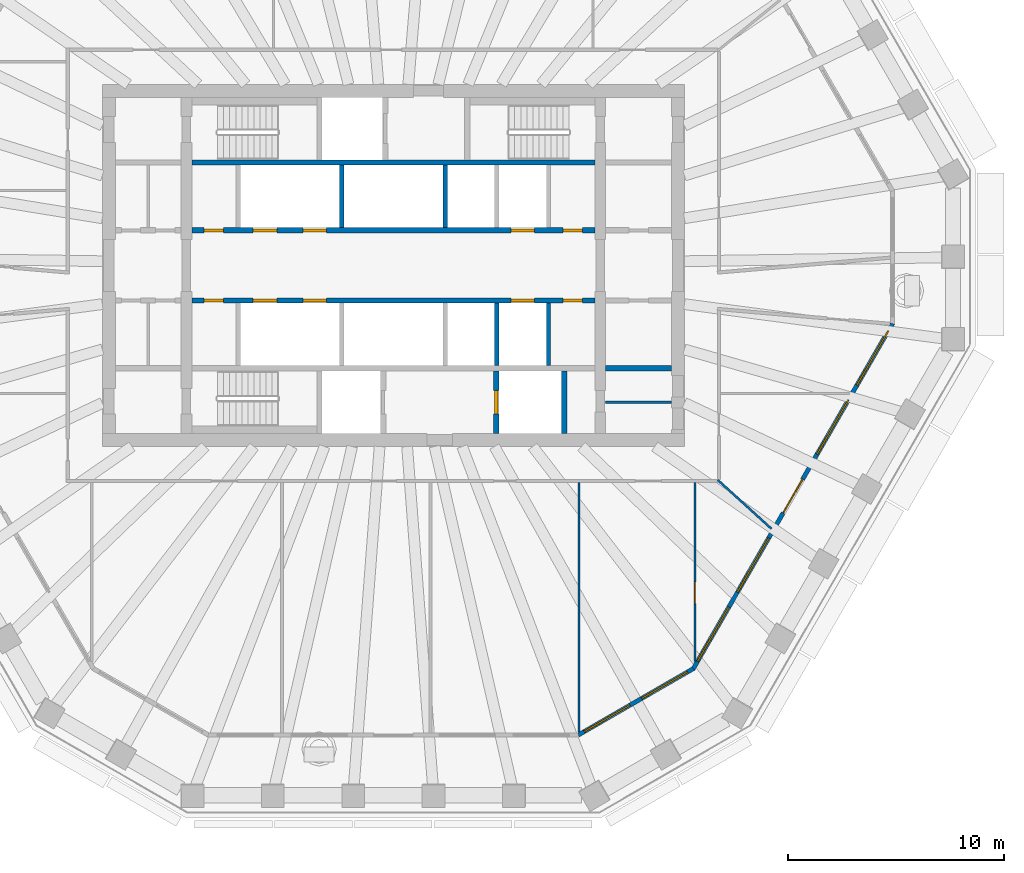
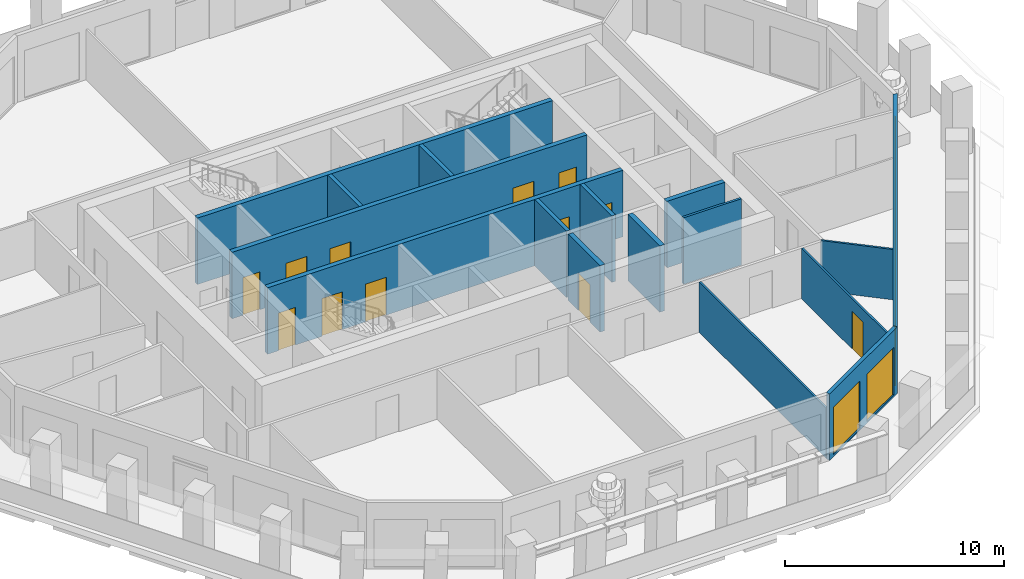
# One storey, part 5 of 12: 16 walls, 13 doors, 7 windows, 20 openings.
"""IFC4 building model written with IfcOpenShell, lengths in metres."""

from ifc_helpers import new_model, si_unit, direction, frame, frame_2d, origin, place, context, subcontext, project, spatial, polyline, rectangle, outline, extrude, material, layer, layer_set, type_object, element, fill, save


model = new_model("IFC4")

# Units and contexts
model_context = context("Model", 3, precision=1e-05, world=origin(), true_north=direction((0.0, 1.0)))
body_context = subcontext(model_context, "Body", "Model", "MODEL_VIEW")
ifc_project = project(units=[si_unit("LENGTHUNIT", "METRE"), si_unit("AREAUNIT", "SQUARE_METRE"), si_unit("VOLUMEUNIT", "CUBIC_METRE"), si_unit("PLANEANGLEUNIT", "RADIAN"), si_unit("MASSUNIT", "GRAM", prefix="KILO")], contexts=[model_context])

# Site, building, storey
site_placement = place(None, origin())
site = spatial("IfcSite", under=ifc_project, at=site_placement, CompositionType="ELEMENT")
building_placement = place(site_placement, origin())
building = spatial("IfcBuilding", under=site, at=building_placement, Name="Frailejon Research Tower", CompositionType="ELEMENT")
storey_placement = place(building_placement, frame((0.0, 0.0, 223.39990234375)))
storey = spatial("IfcBuildingStorey", under=building, at=storey_placement, Name="L48", CompositionType="ELEMENT", Elevation=223.39990234375)

# Walls
ifc_material_1 = material(Name="Plasterboard on steel studs", Category="steel")
ifc_layer_1 = layer(ifc_material_1, 0.125)
ifc_layer_set_1 = layer_set([ifc_layer_1], Name="Core partition 125")
wall_type_1 = type_object("IfcWallType", Name="Core partition 125", PredefinedType="PARTITIONING", material=ifc_layer_set_1)
wall_1_placement = place(storey_placement, frame((9.85009765625, -6.35009765625, 0.0), z_axis=(0.0, 0.0, 1.0), x_axis=(1.0, 0.0, 0.0)))
element("IfcWall", 1, at=wall_1_placement, inside=storey, type_object=wall_type_1, Name="Core partition", PredefinedType="PARTITIONING", context=body_context, shape_type="SweptSolid", body=[
    extrude(rectangle(XDim=3.0498046875, YDim=0.125, at=frame_2d((1.52490234375, 0.0))), origin(), (0.0, 0.0, 1.0), 3.7001953125),
])
ifc_material_2 = material(Name="Gypsum board and masonry partition", Category="masonry")
ifc_layer_2 = layer(ifc_material_2, 0.10009765625)
ifc_layer_set_2 = layer_set([ifc_layer_2], Name="Partition, gypsum on steel studs 100")
wall_type_2 = type_object("IfcWallType", Name="Partition, gypsum on steel studs 100", PredefinedType="PARTITIONING", material=ifc_layer_set_2)
wall_2_placement = place(storey_placement, frame((8.612060546875, -21.646240234375, 0.0), z_axis=(0.0, 0.0, 1.0), x_axis=(0.0, 1.0, 0.0)))
element("IfcWall", 2, at=wall_2_placement, inside=storey, type_object=wall_type_2, Name="T:IW:L48:021", PredefinedType="PARTITIONING", context=body_context, shape_type="SweptSolid", body=[
    extrude(rectangle(XDim=11.5712890625, YDim=0.10009765625, at=frame_2d((5.78564453125, 0.0))), origin(), (0.0, 0.0, 1.0), 2.800048828125),
])

# Wall, opening, door
wall_3_placement = place(storey_placement, frame((13.987060546875, -18.373779296875, 0.0), z_axis=(0.0, 0.0, 1.0), x_axis=(0.0, 1.0, 0.0)))
wall_3 = element("IfcWall", 3, at=wall_3_placement, inside=storey, type_object=wall_type_2, Name="T:IW:L48:022", PredefinedType="PARTITIONING", context=body_context, shape_type="SweptSolid", body=[
    extrude(rectangle(XDim=8.298828125, YDim=0.10009765625, at=frame_2d((4.1494140625, 0.0))), origin(), (0.0, 0.0, 1.0), 2.800048828125),
])
opening_1_placement = place(wall_3_placement, frame((2.685791015625, 0.0, 0.0)))
opening_1 = element("IfcOpeningElement", 4, at=opening_1_placement, cuts=wall_3, Name="Opening D1988", PredefinedType="OPENING", context=body_context, shape_type="SweptSolid", body=[
    extrude(rectangle(XDim=1.0, YDim=2.10009765625, at=frame_2d((0.5, 1.050048828125))), frame((0.0, 0.06005859375, 0.0), z_axis=(0.0, -1.0, 0.0), x_axis=(1.0, 0.0, 0.0)), (0.0, 0.0, 1.0), 0.1201171875),
])
ifc_material_3 = material(Name="Timber door leaf", Category="wood")
door_type_1 = type_object("IfcDoorType", Name="Door single leaf, timber, steel frame 1000", OperationType="NOTDEFINED", PredefinedType="DOOR", material=ifc_material_3)
door_1_placement = place(opening_1_placement, origin())
door_1 = element("IfcDoor", 5, at=door_1_placement, inside=storey, type_object=door_type_1, Name="D1988", OperationType="SINGLE_SWING_LEFT", OverallHeight=2.10009765625, OverallWidth=1.0, PredefinedType="DOOR", context=body_context, shape_type="SweptSolid", body=[
    extrude(rectangle(XDim=1.0, YDim=2.10009765625, at=frame_2d((0.5, 1.050048828125))), frame((0.0, 0.02490234375, 0.0), z_axis=(0.0, -1.0, 0.0), x_axis=(1.0, 0.0, 0.0)), (0.0, 0.0, 1.0), 0.050048828125),
])
fill(opening_1, door_1)

# Walls
wall_4_placement = place(storey_placement, frame((15.04443359375, -9.94970703125, 0.0), z_axis=(0.0, 0.0, 1.0), x_axis=(0.740306778101, -0.67226919779, 0.0)))
element("IfcWall", 6, at=wall_4_placement, inside=storey, type_object=wall_type_2, Name="T:IW:L48:023", PredefinedType="PARTITIONING", context=body_context, shape_type="SweptSolid", body=[
    extrude(rectangle(XDim=3.373046875, YDim=0.10009765625, at=frame_2d((1.6865234375, 0.0))), origin(), (0.0, 0.0, 1.0), 2.800048828125),
])
ifc_material_4 = material(Name="Concrete C60/75", Category="concrete")
ifc_layer_3 = layer(ifc_material_4, 0.199951171875)
ifc_layer_set_3 = layer_set([ifc_layer_3], Name="Shaft wall 200 C60/75")
wall_type_3 = type_object("IfcWallType", Name="Shaft wall 200 C60/75", PredefinedType="SOLIDWALL", material=ifc_layer_set_3)
for number, where, z_axis, x_axis, name in (
    (7, (-2.39990234375, 1.75, 0.0), (0.0, 0.0, 1.0), (0.0, 1.0, 0.0), "Shaft wall"),
    (8, (2.39990234375, 1.75, 0.0), (0.0, 0.0, 1.0), (0.0, 1.0, 0.0), "Shaft wall"),
    (9, (4.800048828125, -4.64990234375, 0.0), (0.0, 0.0, 1.0), (0.0, 1.0, 0.0), "Shaft wall"),
    (10, (7.199951171875, -4.64990234375, 0.0), (0.0, 0.0, 1.0), (0.0, 1.0, 0.0), "Shaft wall"),
):
    element("IfcWall", number, at=place(storey_placement, frame(where, z_axis=z_axis, x_axis=x_axis)), inside=storey, type_object=wall_type_3, Name=name, PredefinedType="SOLIDWALL", context=body_context, shape_type="SweptSolid", body=[
        extrude(rectangle(XDim=2.89990234375, YDim=0.199951171875, at=frame_2d((1.449951171875, 0.0))), origin(), (0.0, 0.0, 1.0), 3.7001953125),
    ])

# Wall, openings, doors
ifc_material_5 = material(Name="Concrete C60/75", Category="concrete")
ifc_layer_4 = layer(ifc_material_5, 0.25)
ifc_layer_set_4 = layer_set([ifc_layer_4], Name="Shaft wall 250 C60/75")
wall_type_4 = type_object("IfcWallType", Name="Shaft wall 250 C60/75", PredefinedType="SOLIDWALL", material=ifc_layer_set_4)
wall_5_placement = place(storey_placement, frame((-9.35009765625, 1.625, 0.0), z_axis=(0.0, 0.0, 1.0), x_axis=(1.0, 0.0, 0.0)))
wall_5 = element("IfcWall", 11, at=wall_5_placement, inside=storey, type_object=wall_type_4, Name="Shaft wall", PredefinedType="SOLIDWALL", context=body_context, shape_type="SweptSolid", body=[
    extrude(rectangle(XDim=18.7001953125, YDim=0.25, at=frame_2d((9.35009765625, 0.0))), origin(), (0.0, 0.0, 1.0), 3.7001953125),
])
opening_2_placement = place(wall_5_placement, frame((2.85009765625, 0.0, 0.0)))
opening_2 = element("IfcOpeningElement", 12, at=opening_2_placement, cuts=wall_5, Name="Opening LD", PredefinedType="OPENING", context=body_context, shape_type="SweptSolid", body=[
    extrude(rectangle(XDim=1.10009765625, YDim=2.10009765625, at=frame_2d((0.550048828125, 1.050048828125))), frame((0.0, 0.135009765625, 0.0), z_axis=(0.0, -1.0, 0.0), x_axis=(1.0, 0.0, 0.0)), (0.0, 0.0, 1.0), 0.27001953125),
])
opening_3_placement = place(wall_5_placement, frame((5.14990234375, 0.0, 0.0)))
opening_3 = element("IfcOpeningElement", 13, at=opening_3_placement, cuts=wall_5, Name="Opening LD", PredefinedType="OPENING", context=body_context, shape_type="SweptSolid", body=[
    extrude(rectangle(XDim=1.10009765625, YDim=2.10009765625, at=frame_2d((0.550048828125, 1.050048828125))), frame((0.0, 0.135009765625, 0.0), z_axis=(0.0, -1.0, 0.0), x_axis=(1.0, 0.0, 0.0)), (0.0, 0.0, 1.0), 0.27001953125),
])
opening_4_placement = place(wall_5_placement, frame((14.800048828125, 0.0, 0.0)))
opening_4 = element("IfcOpeningElement", 14, at=opening_4_placement, cuts=wall_5, Name="Opening LD", PredefinedType="OPENING", context=body_context, shape_type="SweptSolid", body=[
    extrude(rectangle(XDim=1.10009765625, YDim=2.10009765625, at=frame_2d((0.550048828125, 1.050048828125))), frame((0.0, 0.135009765625, 0.0), z_axis=(0.0, -1.0, 0.0), x_axis=(1.0, 0.0, 0.0)), (0.0, 0.0, 1.0), 0.27001953125),
])
opening_5_placement = place(wall_5_placement, frame((0.574951171875, 0.0, 0.0)))
opening_5 = element("IfcOpeningElement", 15, at=opening_5_placement, cuts=wall_5, Name="Opening D8", PredefinedType="OPENING", context=body_context, shape_type="SweptSolid", body=[
    extrude(rectangle(XDim=0.89990234375, YDim=2.10009765625, at=frame_2d((0.449951171875, 1.050048828125))), frame((0.0, 0.135009765625, 0.0), z_axis=(0.0, -1.0, 0.0), x_axis=(1.0, 0.0, 0.0)), (0.0, 0.0, 1.0), 0.27001953125),
])
opening_6_placement = place(wall_5_placement, frame((17.22509765625, 0.0, 0.0)))
opening_6 = element("IfcOpeningElement", 16, at=opening_6_placement, cuts=wall_5, Name="Opening D8", PredefinedType="OPENING", context=body_context, shape_type="SweptSolid", body=[
    extrude(rectangle(XDim=0.89990234375, YDim=2.10009765625, at=frame_2d((0.449951171875, 1.050048828125))), frame((0.0, 0.135009765625, 0.0), z_axis=(0.0, -1.0, 0.0), x_axis=(1.0, 0.0, 0.0)), (0.0, 0.0, 1.0), 0.27001953125),
])
ifc_material_6 = material(Name="Steel", Category="steel")
door_type_2 = type_object("IfcDoorType", Name="Core room door", OperationType="SINGLE_SWING_LEFT", PredefinedType="DOOR", material=ifc_material_6)
door_2_placement = place(opening_5_placement, origin())
door_2 = element("IfcDoor", 17, at=door_2_placement, inside=storey, type_object=door_type_2, Name="Room door", OperationType="SINGLE_SWING_LEFT", OverallHeight=2.10009765625, OverallWidth=0.89990234375, PredefinedType="DOOR", context=body_context, shape_type="SweptSolid", body=[
    extrude(rectangle(XDim=0.89990234375, YDim=2.10009765625, at=frame_2d((0.449951171875, 1.050048828125))), frame((0.0, 0.074951171875, 0.0), z_axis=(0.0, -1.0, 0.0), x_axis=(1.0, 0.0, 0.0)), (0.0, 0.0, 1.0), 0.14990234375),
])
fill(opening_5, door_2)
door_3_placement = place(opening_6_placement, origin())
door_3 = element("IfcDoor", 18, at=door_3_placement, inside=storey, type_object=door_type_2, Name="Room door", OperationType="SINGLE_SWING_RIGHT", OverallHeight=2.10009765625, OverallWidth=0.89990234375, PredefinedType="DOOR", context=body_context, shape_type="SweptSolid", body=[
    extrude(rectangle(XDim=0.89990234375, YDim=2.10009765625, at=frame_2d((0.449951171875, 1.050048828125))), frame((0.0, 0.074951171875, 0.0), z_axis=(0.0, -1.0, 0.0), x_axis=(1.0, 0.0, 0.0)), (0.0, 0.0, 1.0), 0.14990234375),
])
fill(opening_6, door_3)
ifc_material_7 = material(Name="Steel", Category="steel")
door_type_3 = type_object("IfcDoorType", Name="Lift landing door", OperationType="DOUBLE_DOOR_SLIDING", PredefinedType="DOOR", material=ifc_material_7)
door_4_placement = place(opening_2_placement, origin())
door_4 = element("IfcDoor", 19, at=door_4_placement, inside=storey, type_object=door_type_3, Name="Lift landing door", OperationType="DOUBLE_DOOR_SLIDING", OverallHeight=2.10009765625, OverallWidth=1.10009765625, PredefinedType="DOOR", context=body_context, shape_type="SweptSolid", body=[
    extrude(rectangle(XDim=1.10009765625, YDim=2.10009765625, at=frame_2d((0.550048828125, 1.050048828125))), frame((0.0, 0.074951171875, 0.0), z_axis=(0.0, -1.0, 0.0), x_axis=(1.0, 0.0, 0.0)), (0.0, 0.0, 1.0), 0.14990234375),
])
fill(opening_2, door_4)
door_5_placement = place(opening_3_placement, origin())
door_5 = element("IfcDoor", 20, at=door_5_placement, inside=storey, type_object=door_type_3, Name="Lift landing door", OperationType="DOUBLE_DOOR_SLIDING", OverallHeight=2.10009765625, OverallWidth=1.10009765625, PredefinedType="DOOR", context=body_context, shape_type="SweptSolid", body=[
    extrude(rectangle(XDim=1.10009765625, YDim=2.10009765625, at=frame_2d((0.550048828125, 1.050048828125))), frame((0.0, 0.074951171875, 0.0), z_axis=(0.0, -1.0, 0.0), x_axis=(1.0, 0.0, 0.0)), (0.0, 0.0, 1.0), 0.14990234375),
])
fill(opening_3, door_5)
door_6_placement = place(opening_4_placement, origin())
door_6 = element("IfcDoor", 21, at=door_6_placement, inside=storey, type_object=door_type_3, Name="Lift landing door", OperationType="DOUBLE_DOOR_SLIDING", OverallHeight=2.10009765625, OverallWidth=1.10009765625, PredefinedType="DOOR", context=body_context, shape_type="SweptSolid", body=[
    extrude(rectangle(XDim=1.10009765625, YDim=2.10009765625, at=frame_2d((0.550048828125, 1.050048828125))), frame((0.0, 0.074951171875, 0.0), z_axis=(0.0, -1.0, 0.0), x_axis=(1.0, 0.0, 0.0)), (0.0, 0.0, 1.0), 0.14990234375),
])
fill(opening_4, door_6)

# Wall
wall_6_placement = place(storey_placement, frame((-9.35009765625, 4.77490234375, 0.0), z_axis=(0.0, 0.0, 1.0), x_axis=(1.0, 0.0, 0.0)))
element("IfcWall", 22, at=wall_6_placement, inside=storey, type_object=wall_type_4, Name="Shaft wall", PredefinedType="SOLIDWALL", context=body_context, shape_type="SweptSolid", body=[
    extrude(rectangle(XDim=18.7001953125, YDim=0.25, at=frame_2d((9.35009765625, 0.0))), origin(), (0.0, 0.0, 1.0), 3.7001953125),
])

# Wall, openings, doors
wall_7_placement = place(storey_placement, frame((-9.35009765625, -1.625, 0.0), z_axis=(0.0, 0.0, 1.0), x_axis=(1.0, 0.0, 0.0)))
wall_7 = element("IfcWall", 23, at=wall_7_placement, inside=storey, type_object=wall_type_4, Name="Shaft wall", PredefinedType="SOLIDWALL", context=body_context, shape_type="SweptSolid", body=[
    extrude(rectangle(XDim=18.7001953125, YDim=0.25, at=frame_2d((9.35009765625, 0.0))), origin(), (0.0, 0.0, 1.0), 3.7001953125),
])
opening_7_placement = place(wall_7_placement, frame((2.85009765625, 0.0, 0.0)))
opening_7 = element("IfcOpeningElement", 24, at=opening_7_placement, cuts=wall_7, Name="Opening LD", PredefinedType="OPENING", context=body_context, shape_type="SweptSolid", body=[
    extrude(rectangle(XDim=1.10009765625, YDim=2.10009765625, at=frame_2d((0.550048828125, 1.050048828125))), frame((0.0, 0.135009765625, 0.0), z_axis=(0.0, -1.0, 0.0), x_axis=(1.0, 0.0, 0.0)), (0.0, 0.0, 1.0), 0.27001953125),
])
opening_8_placement = place(wall_7_placement, frame((5.14990234375, 0.0, 0.0)))
opening_8 = element("IfcOpeningElement", 25, at=opening_8_placement, cuts=wall_7, Name="Opening LD", PredefinedType="OPENING", context=body_context, shape_type="SweptSolid", body=[
    extrude(rectangle(XDim=1.10009765625, YDim=2.10009765625, at=frame_2d((0.550048828125, 1.050048828125))), frame((0.0, 0.135009765625, 0.0), z_axis=(0.0, -1.0, 0.0), x_axis=(1.0, 0.0, 0.0)), (0.0, 0.0, 1.0), 0.27001953125),
])
opening_9_placement = place(wall_7_placement, frame((14.800048828125, 0.0, 0.0)))
opening_9 = element("IfcOpeningElement", 26, at=opening_9_placement, cuts=wall_7, Name="Opening LD", PredefinedType="OPENING", context=body_context, shape_type="SweptSolid", body=[
    extrude(rectangle(XDim=1.10009765625, YDim=2.10009765625, at=frame_2d((0.550048828125, 1.050048828125))), frame((0.0, 0.135009765625, 0.0), z_axis=(0.0, -1.0, 0.0), x_axis=(1.0, 0.0, 0.0)), (0.0, 0.0, 1.0), 0.27001953125),
])
opening_10_placement = place(wall_7_placement, frame((0.574951171875, 0.0, 0.0)))
opening_10 = element("IfcOpeningElement", 27, at=opening_10_placement, cuts=wall_7, Name="Opening D8", PredefinedType="OPENING", context=body_context, shape_type="SweptSolid", body=[
    extrude(rectangle(XDim=0.89990234375, YDim=2.10009765625, at=frame_2d((0.449951171875, 1.050048828125))), frame((0.0, 0.135009765625, 0.0), z_axis=(0.0, -1.0, 0.0), x_axis=(1.0, 0.0, 0.0)), (0.0, 0.0, 1.0), 0.27001953125),
])
opening_11_placement = place(wall_7_placement, frame((17.22509765625, 0.0, 0.0)))
opening_11 = element("IfcOpeningElement", 28, at=opening_11_placement, cuts=wall_7, Name="Opening D8", PredefinedType="OPENING", context=body_context, shape_type="SweptSolid", body=[
    extrude(rectangle(XDim=0.89990234375, YDim=2.10009765625, at=frame_2d((0.449951171875, 1.050048828125))), frame((0.0, 0.135009765625, 0.0), z_axis=(0.0, -1.0, 0.0), x_axis=(1.0, 0.0, 0.0)), (0.0, 0.0, 1.0), 0.27001953125),
])
door_7_placement = place(opening_10_placement, origin())
door_7 = element("IfcDoor", 29, at=door_7_placement, inside=storey, type_object=door_type_2, Name="Room door", OperationType="SINGLE_SWING_RIGHT", OverallHeight=2.10009765625, OverallWidth=0.89990234375, PredefinedType="DOOR", context=body_context, shape_type="SweptSolid", body=[
    extrude(rectangle(XDim=0.89990234375, YDim=2.10009765625, at=frame_2d((0.449951171875, 1.050048828125))), frame((0.0, 0.074951171875, 0.0), z_axis=(0.0, -1.0, 0.0), x_axis=(1.0, 0.0, 0.0)), (0.0, 0.0, 1.0), 0.14990234375),
])
fill(opening_10, door_7)
door_8_placement = place(opening_11_placement, origin())
door_8 = element("IfcDoor", 30, at=door_8_placement, inside=storey, type_object=door_type_2, Name="Room door", OperationType="SINGLE_SWING_LEFT", OverallHeight=2.10009765625, OverallWidth=0.89990234375, PredefinedType="DOOR", context=body_context, shape_type="SweptSolid", body=[
    extrude(rectangle(XDim=0.89990234375, YDim=2.10009765625, at=frame_2d((0.449951171875, 1.050048828125))), frame((0.0, 0.074951171875, 0.0), z_axis=(0.0, -1.0, 0.0), x_axis=(1.0, 0.0, 0.0)), (0.0, 0.0, 1.0), 0.14990234375),
])
fill(opening_11, door_8)
door_9_placement = place(opening_7_placement, origin())
door_9 = element("IfcDoor", 31, at=door_9_placement, inside=storey, type_object=door_type_3, Name="Lift landing door", OperationType="DOUBLE_DOOR_SLIDING", OverallHeight=2.10009765625, OverallWidth=1.10009765625, PredefinedType="DOOR", context=body_context, shape_type="SweptSolid", body=[
    extrude(rectangle(XDim=1.10009765625, YDim=2.10009765625, at=frame_2d((0.550048828125, 1.050048828125))), frame((0.0, 0.074951171875, 0.0), z_axis=(0.0, -1.0, 0.0), x_axis=(1.0, 0.0, 0.0)), (0.0, 0.0, 1.0), 0.14990234375),
])
fill(opening_7, door_9)
door_10_placement = place(opening_8_placement, origin())
door_10 = element("IfcDoor", 32, at=door_10_placement, inside=storey, type_object=door_type_3, Name="Lift landing door", OperationType="DOUBLE_DOOR_SLIDING", OverallHeight=2.10009765625, OverallWidth=1.10009765625, PredefinedType="DOOR", context=body_context, shape_type="SweptSolid", body=[
    extrude(rectangle(XDim=1.10009765625, YDim=2.10009765625, at=frame_2d((0.550048828125, 1.050048828125))), frame((0.0, 0.074951171875, 0.0), z_axis=(0.0, -1.0, 0.0), x_axis=(1.0, 0.0, 0.0)), (0.0, 0.0, 1.0), 0.14990234375),
])
fill(opening_8, door_10)
door_11_placement = place(opening_9_placement, origin())
door_11 = element("IfcDoor", 33, at=door_11_placement, inside=storey, type_object=door_type_3, Name="Lift landing door", OperationType="DOUBLE_DOOR_SLIDING", OverallHeight=2.10009765625, OverallWidth=1.10009765625, PredefinedType="DOOR", context=body_context, shape_type="SweptSolid", body=[
    extrude(rectangle(XDim=1.10009765625, YDim=2.10009765625, at=frame_2d((0.550048828125, 1.050048828125))), frame((0.0, 0.074951171875, 0.0), z_axis=(0.0, -1.0, 0.0), x_axis=(1.0, 0.0, 0.0)), (0.0, 0.0, 1.0), 0.14990234375),
])
fill(opening_9, door_11)

# Wall
wall_8_placement = place(storey_placement, frame((9.85009765625, -4.77490234375, 0.0), z_axis=(0.0, 0.0, 1.0), x_axis=(1.0, 0.0, 0.0)))
element("IfcWall", 34, at=wall_8_placement, inside=storey, type_object=wall_type_4, Name="Shaft wall", PredefinedType="SOLIDWALL", context=body_context, shape_type="SweptSolid", body=[
    extrude(rectangle(XDim=3.0498046875, YDim=0.25, at=frame_2d((1.52490234375, 0.0))), origin(), (0.0, 0.0, 1.0), 3.7001953125),
])

# Wall, opening, door
wall_9_placement = place(storey_placement, frame((4.77490234375, -7.800048828125, 0.0), z_axis=(0.0, 0.0, 1.0), x_axis=(0.0, 1.0, 0.0)))
wall_9 = element("IfcWall", 35, at=wall_9_placement, inside=storey, type_object=wall_type_4, Name="Shaft wall", PredefinedType="SOLIDWALL", context=body_context, shape_type="SweptSolid", body=[
    extrude(rectangle(XDim=2.900146484375, YDim=0.25, at=frame_2d((1.4501953125, 0.0))), origin(), (0.0, 0.0, 1.0), 3.7001953125),
])
opening_12_placement = place(wall_9_placement, frame((0.89990234375, 0.0, 0.0)))
opening_12 = element("IfcOpeningElement", 36, at=opening_12_placement, cuts=wall_9, Name="Opening LD", PredefinedType="OPENING", context=body_context, shape_type="SweptSolid", body=[
    extrude(rectangle(XDim=1.10009765625, YDim=2.10009765625, at=frame_2d((0.550048828125, 1.050048828125))), frame((0.0, 0.135009765625, 0.0), z_axis=(0.0, -1.0, 0.0), x_axis=(1.0, 0.0, 0.0)), (0.0, 0.0, 1.0), 0.27001953125),
])
door_12_placement = place(opening_12_placement, origin())
door_12 = element("IfcDoor", 37, at=door_12_placement, inside=storey, type_object=door_type_3, Name="Lift landing door", OperationType="DOUBLE_DOOR_SLIDING", OverallHeight=2.10009765625, OverallWidth=1.10009765625, PredefinedType="DOOR", context=body_context, shape_type="SweptSolid", body=[
    extrude(rectangle(XDim=1.10009765625, YDim=2.10009765625, at=frame_2d((0.550048828125, 1.050048828125))), frame((0.0, 0.074951171875, 0.0), z_axis=(0.0, -1.0, 0.0), x_axis=(1.0, 0.0, 0.0)), (0.0, 0.0, 1.0), 0.14990234375),
])
fill(opening_12, door_12)

# Wall
wall_10_placement = place(storey_placement, frame((7.925048828125, -7.800048828125, 0.0), z_axis=(0.0, 0.0, 1.0), x_axis=(0.0, 1.0, 0.0)))
element("IfcWall", 38, at=wall_10_placement, inside=storey, type_object=wall_type_4, Name="Shaft wall", PredefinedType="SOLIDWALL", context=body_context, shape_type="SweptSolid", body=[
    extrude(rectangle(XDim=2.900146484375, YDim=0.25, at=frame_2d((1.4501953125, 0.0))), origin(), (0.0, 0.0, 1.0), 3.7001953125),
])

# Wall, openings, windows
ifc_material_8 = material(Name="Concrete C40/50 precast window wall panel", Category="concrete")
ifc_layer_5 = layer(ifc_material_8, 0.199951171875)
ifc_layer_set_5 = layer_set([ifc_layer_5], Name="Window wall 200")
wall_type_5 = type_object("IfcWallType", Name="Window wall 200", PredefinedType="SOLIDWALL", material=ifc_layer_set_5)
wall_11_placement = place(storey_placement, frame((8.585205078125, -21.777099609375, 0.0), z_axis=(0.0, 0.0, 1.0), x_axis=(0.866029647142, 0.499992650217, 0.0)))
wall_11 = element("IfcWall", 39, at=wall_11_placement, inside=storey, type_object=wall_type_5, Name="Exterior wall L48", PredefinedType="SOLIDWALL", context=body_context, shape_type="SweptSolid", body=[
    extrude(outline(polyline([(-0.02685546875, -0.10009765625), (1.007568359375, -0.10009765625), (2.0419921875, -0.10009765625), (3.076416015625, -0.10009765625), (4.11083984375, -0.10009765625), (5.145263671875, -0.10009765625), (6.1796875, -0.10009765625), (6.1259765625, 0.10009765625), (5.109375, 0.10009765625), (4.093017578125, 0.10009765625), (3.076416015625, 0.10009765625), (2.059814453125, 0.10009765625), (1.04345703125, 0.10009765625), (0.02685546875, 0.10009765625), (-0.02685546875, -0.10009765625)])), origin(), (0.0, 0.0, 1.0), 3.7001953125),
])
opening_13_placement = place(wall_11_placement, frame((0.313232421875, 0.0, 0.10009765625)))
opening_13 = element("IfcOpeningElement", 40, at=opening_13_placement, cuts=wall_11, Name="Opening W17", PredefinedType="OPENING", context=body_context, shape_type="SweptSolid", body=[
    extrude(rectangle(XDim=2.449951171875, YDim=2.64990234375, at=frame_2d((1.22509765625, 1.324951171875))), frame((0.0, 0.10986328125, 0.0), z_axis=(0.0, -1.0, 0.0), x_axis=(1.0, 0.0, 0.0)), (0.0, 0.0, 1.0), 0.219970703125),
])
opening_14_placement = place(wall_11_placement, frame((3.3896484375, 0.0, 0.10009765625)))
opening_14 = element("IfcOpeningElement", 41, at=opening_14_placement, cuts=wall_11, Name="Opening W17", PredefinedType="OPENING", context=body_context, shape_type="SweptSolid", body=[
    extrude(rectangle(XDim=2.449951171875, YDim=2.64990234375, at=frame_2d((1.22509765625, 1.324951171875))), frame((0.0, 0.10986328125, 0.0), z_axis=(0.0, -1.0, 0.0), x_axis=(1.0, 0.0, 0.0)), (0.0, 0.0, 1.0), 0.219970703125),
])
ifc_material_9 = material(Name="Aluminium framed double glazing", Category="aluminium")
window_type_1 = type_object("IfcWindowType", Name="Window 2450x2650", PartitioningType="SINGLE_PANEL", PredefinedType="WINDOW", material=ifc_material_9)
window_1_placement = place(opening_13_placement, origin())
window_1 = element("IfcWindow", 42, at=window_1_placement, inside=storey, type_object=window_type_1, Name="Window L48", OverallHeight=2.64990234375, OverallWidth=2.449951171875, PartitioningType="SINGLE_PANEL", PredefinedType="WINDOW", context=body_context, shape_type="SweptSolid", body=[
    extrude(rectangle(XDim=2.449951171875, YDim=2.64990234375, at=frame_2d((1.22509765625, 1.324951171875))), frame((0.0, 0.030029296875, 0.0), z_axis=(0.0, -1.0, 0.0), x_axis=(1.0, 0.0, 0.0)), (0.0, 0.0, 1.0), 0.06005859375),
])
fill(opening_13, window_1)
window_2_placement = place(opening_14_placement, origin())
window_2 = element("IfcWindow", 43, at=window_2_placement, inside=storey, type_object=window_type_1, Name="Window L48", OverallHeight=2.64990234375, OverallWidth=2.449951171875, PartitioningType="SINGLE_PANEL", PredefinedType="WINDOW", context=body_context, shape_type="SweptSolid", body=[
    extrude(rectangle(XDim=2.449951171875, YDim=2.64990234375, at=frame_2d((1.22509765625, 1.324951171875))), frame((0.0, 0.030029296875, 0.0), z_axis=(0.0, -1.0, 0.0), x_axis=(1.0, 0.0, 0.0)), (0.0, 0.0, 1.0), 0.06005859375),
])
fill(opening_14, window_2)

# Wall, openings, door, windows
wall_12_placement = place(storey_placement, frame((13.913818359375, -18.70068359375, 0.0), z_axis=(0.0, 0.0, 1.0), x_axis=(0.499993148765, 0.866029359311, 0.0)))
wall_12 = element("IfcWall", 44, at=wall_12_placement, inside=storey, type_object=wall_type_5, Name="Exterior wall L48", PredefinedType="SOLIDWALL", context=body_context, shape_type="SweptSolid", body=[
    extrude(outline(polyline([(-0.02685546875, -0.10009765625), (1.002685546875, -0.10009765625), (2.031982421875, -0.10009765625), (3.0615234375, -0.10009765625), (4.091064453125, -0.10009765625), (5.12060546875, -0.10009765625), (6.14990234375, -0.10009765625), (7.179443359375, -0.10009765625), (8.208984375, -0.10009765625), (9.23828125, -0.10009765625), (10.267822265625, -0.10009765625), (11.29736328125, -0.10009765625), (12.326904296875, -0.10009765625), (13.356201171875, -0.10009765625), (14.3857421875, -0.10009765625), (15.415283203125, -0.10009765625), (16.44482421875, -0.10009765625), (17.47412109375, -0.10009765625), (18.503662109375, -0.10009765625), (18.449951171875, 0.10009765625), (17.426513671875, 0.10009765625), (16.40283203125, 0.10009765625), (15.37939453125, 0.10009765625), (14.35595703125, 0.10009765625), (13.33251953125, 0.10009765625), (12.308837890625, 0.10009765625), (11.285400390625, 0.10009765625), (10.261962890625, 0.10009765625), (9.23828125, 0.10009765625), (8.21484375, 0.10009765625), (7.19140625, 0.10009765625), (6.16796875, 0.10009765625), (5.144287109375, 0.10009765625), (4.120849609375, 0.10009765625), (3.097412109375, 0.10009765625), (2.073974609375, 0.10009765625), (1.05029296875, 0.10009765625), (0.02685546875, 0.10009765625), (-0.02685546875, -0.10009765625)])), origin(), (0.0, 0.0, 1.0), 3.7001953125),
])
opening_15_placement = place(wall_12_placement, frame((0.397705078125, 0.0, 0.10009765625)))
opening_15 = element("IfcOpeningElement", 45, at=opening_15_placement, cuts=wall_12, Name="Opening W20", PredefinedType="OPENING", context=body_context, shape_type="SweptSolid", body=[
    extrude(rectangle(XDim=2.89990234375, YDim=2.64990234375, at=frame_2d((1.449951171875, 1.324951171875))), frame((0.0, 0.10986328125, 0.0), z_axis=(0.0, -1.0, 0.0), x_axis=(1.0, 0.0, 0.0)), (0.0, 0.0, 1.0), 0.219970703125),
])
opening_16_placement = place(wall_12_placement, frame((4.093017578125, 0.0, 0.10009765625)))
opening_16 = element("IfcOpeningElement", 46, at=opening_16_placement, cuts=wall_12, Name="Opening W20", PredefinedType="OPENING", context=body_context, shape_type="SweptSolid", body=[
    extrude(rectangle(XDim=2.89990234375, YDim=2.64990234375, at=frame_2d((1.449951171875, 1.324951171875))), frame((0.0, 0.10986328125, 0.0), z_axis=(0.0, -1.0, 0.0), x_axis=(1.0, 0.0, 0.0)), (0.0, 0.0, 1.0), 0.219970703125),
])
opening_17_placement = place(wall_12_placement, frame((8.33837890625, 0.0, 0.0)))
opening_17 = element("IfcOpeningElement", 47, at=opening_17_placement, cuts=wall_12, Name="Opening LG48-6", PredefinedType="OPENING", context=body_context, shape_type="SweptSolid", body=[
    extrude(rectangle(XDim=1.800048828125, YDim=2.39990234375, at=frame_2d((0.89990234375, 1.199951171875))), frame((0.0, 0.10986328125, 0.0), z_axis=(0.0, -1.0, 0.0), x_axis=(1.0, 0.0, 0.0)), (0.0, 0.0, 1.0), 0.219970703125),
])
opening_18_placement = place(wall_12_placement, frame((8.33837890625, 0.0, 2.550048828125)))
opening_18 = element("IfcOpeningElement", 48, at=opening_18_placement, cuts=wall_12, Name="Opening W19", PredefinedType="OPENING", context=body_context, shape_type="SweptSolid", body=[
    extrude(rectangle(XDim=1.800048828125, YDim=0.199951171875, at=frame_2d((0.89990234375, 0.10009765625))), frame((0.0, 0.10986328125, 0.0), z_axis=(0.0, -1.0, 0.0), x_axis=(1.0, 0.0, 0.0)), (0.0, 0.0, 1.0), 0.219970703125),
])
opening_19_placement = place(wall_12_placement, frame((11.483642578125, 0.0, 0.10009765625)))
opening_19 = element("IfcOpeningElement", 49, at=opening_19_placement, cuts=wall_12, Name="Opening W20", PredefinedType="OPENING", context=body_context, shape_type="SweptSolid", body=[
    extrude(rectangle(XDim=2.89990234375, YDim=2.64990234375, at=frame_2d((1.449951171875, 1.324951171875))), frame((0.0, 0.10986328125, 0.0), z_axis=(0.0, -1.0, 0.0), x_axis=(1.0, 0.0, 0.0)), (0.0, 0.0, 1.0), 0.219970703125),
])
opening_20_placement = place(wall_12_placement, frame((15.178955078125, 0.0, 0.10009765625)))
opening_20 = element("IfcOpeningElement", 50, at=opening_20_placement, cuts=wall_12, Name="Opening W20", PredefinedType="OPENING", context=body_context, shape_type="SweptSolid", body=[
    extrude(rectangle(XDim=2.89990234375, YDim=2.64990234375, at=frame_2d((1.449951171875, 1.324951171875))), frame((0.0, 0.10986328125, 0.0), z_axis=(0.0, -1.0, 0.0), x_axis=(1.0, 0.0, 0.0)), (0.0, 0.0, 1.0), 0.219970703125),
])
ifc_material_10 = material(Name="Aluminium framed glazed door leaf", Category="aluminium")
door_type_4 = type_object("IfcDoorType", Name="Loggia door 1800x2400", OperationType="DOUBLE_DOOR_SINGLE_SWING", PredefinedType="DOOR", material=ifc_material_10)
door_13_placement = place(opening_17_placement, origin())
door_13 = element("IfcDoor", 51, at=door_13_placement, inside=storey, type_object=door_type_4, Name="Door LG48-6", OperationType="DOUBLE_DOOR_SINGLE_SWING", OverallHeight=2.39990234375, OverallWidth=1.800048828125, PredefinedType="DOOR", context=body_context, shape_type="SweptSolid", body=[
    extrude(rectangle(XDim=1.800048828125, YDim=2.39990234375, at=frame_2d((0.89990234375, 1.199951171875))), frame((0.0, 0.02490234375, 0.0), z_axis=(0.0, -1.0, 0.0), x_axis=(1.0, 0.0, 0.0)), (0.0, 0.0, 1.0), 0.050048828125),
])
fill(opening_17, door_13)
ifc_material_11 = material(Name="Aluminium framed double glazing", Category="aluminium")
window_type_2 = type_object("IfcWindowType", Name="Window 1800x200", PartitioningType="SINGLE_PANEL", PredefinedType="WINDOW", material=ifc_material_11)
window_3_placement = place(opening_18_placement, origin())
window_3 = element("IfcWindow", 52, at=window_3_placement, inside=storey, type_object=window_type_2, Name="Window L48", OverallHeight=0.199951171875, OverallWidth=1.800048828125, PartitioningType="SINGLE_PANEL", PredefinedType="WINDOW", context=body_context, shape_type="SweptSolid", body=[
    extrude(rectangle(XDim=1.800048828125, YDim=0.199951171875, at=frame_2d((0.89990234375, 0.10009765625))), frame((0.0, 0.030029296875, 0.0), z_axis=(0.0, -1.0, 0.0), x_axis=(1.0, 0.0, 0.0)), (0.0, 0.0, 1.0), 0.06005859375),
])
fill(opening_18, window_3)
ifc_material_12 = material(Name="Aluminium framed double glazing", Category="aluminium")
window_type_3 = type_object("IfcWindowType", Name="Window 2900x2650", PartitioningType="SINGLE_PANEL", PredefinedType="WINDOW", material=ifc_material_12)
window_4_placement = place(opening_15_placement, origin())
window_4 = element("IfcWindow", 53, at=window_4_placement, inside=storey, type_object=window_type_3, Name="Window L48", OverallHeight=2.64990234375, OverallWidth=2.89990234375, PartitioningType="SINGLE_PANEL", PredefinedType="WINDOW", context=body_context, shape_type="SweptSolid", body=[
    extrude(rectangle(XDim=2.89990234375, YDim=2.64990234375, at=frame_2d((1.449951171875, 1.324951171875))), frame((0.0, 0.030029296875, 0.0), z_axis=(0.0, -1.0, 0.0), x_axis=(1.0, 0.0, 0.0)), (0.0, 0.0, 1.0), 0.06005859375),
])
fill(opening_15, window_4)
window_5_placement = place(opening_16_placement, origin())
window_5 = element("IfcWindow", 54, at=window_5_placement, inside=storey, type_object=window_type_3, Name="Window L48", OverallHeight=2.64990234375, OverallWidth=2.89990234375, PartitioningType="SINGLE_PANEL", PredefinedType="WINDOW", context=body_context, shape_type="SweptSolid", body=[
    extrude(rectangle(XDim=2.89990234375, YDim=2.64990234375, at=frame_2d((1.449951171875, 1.324951171875))), frame((0.0, 0.030029296875, 0.0), z_axis=(0.0, -1.0, 0.0), x_axis=(1.0, 0.0, 0.0)), (0.0, 0.0, 1.0), 0.06005859375),
])
fill(opening_16, window_5)
window_6_placement = place(opening_19_placement, origin())
window_6 = element("IfcWindow", 55, at=window_6_placement, inside=storey, type_object=window_type_3, Name="Window L48", OverallHeight=2.64990234375, OverallWidth=2.89990234375, PartitioningType="SINGLE_PANEL", PredefinedType="WINDOW", context=body_context, shape_type="SweptSolid", body=[
    extrude(rectangle(XDim=2.89990234375, YDim=2.64990234375, at=frame_2d((1.449951171875, 1.324951171875))), frame((0.0, 0.030029296875, 0.0), z_axis=(0.0, -1.0, 0.0), x_axis=(1.0, 0.0, 0.0)), (0.0, 0.0, 1.0), 0.06005859375),
])
fill(opening_19, window_6)
window_7_placement = place(opening_20_placement, origin())
window_7 = element("IfcWindow", 56, at=window_7_placement, inside=storey, type_object=window_type_3, Name="Window L48", OverallHeight=2.64990234375, OverallWidth=2.89990234375, PartitioningType="SINGLE_PANEL", PredefinedType="WINDOW", context=body_context, shape_type="SweptSolid", body=[
    extrude(rectangle(XDim=2.89990234375, YDim=2.64990234375, at=frame_2d((1.449951171875, 1.324951171875))), frame((0.0, 0.030029296875, 0.0), z_axis=(0.0, -1.0, 0.0), x_axis=(1.0, 0.0, 0.0)), (0.0, 0.0, 1.0), 0.06005859375),
])
fill(opening_20, window_7)

save(model, "model.ifc")
